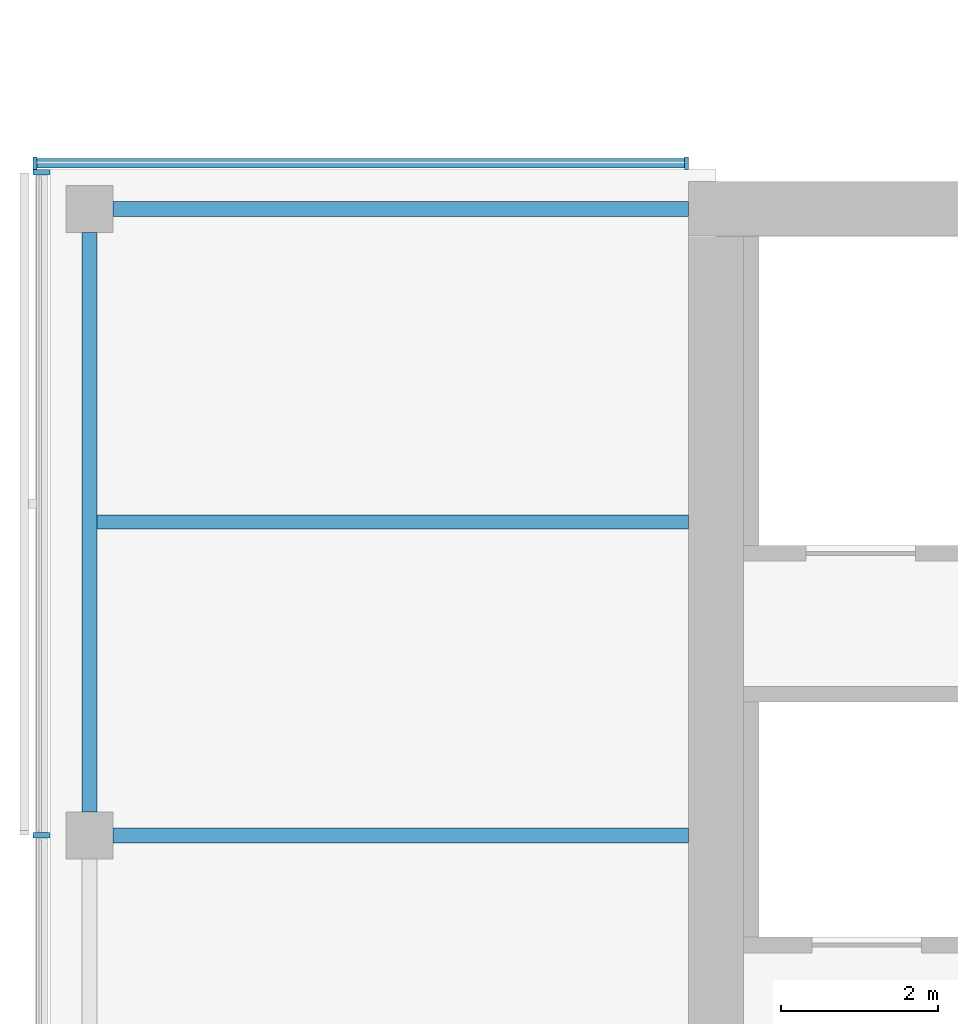
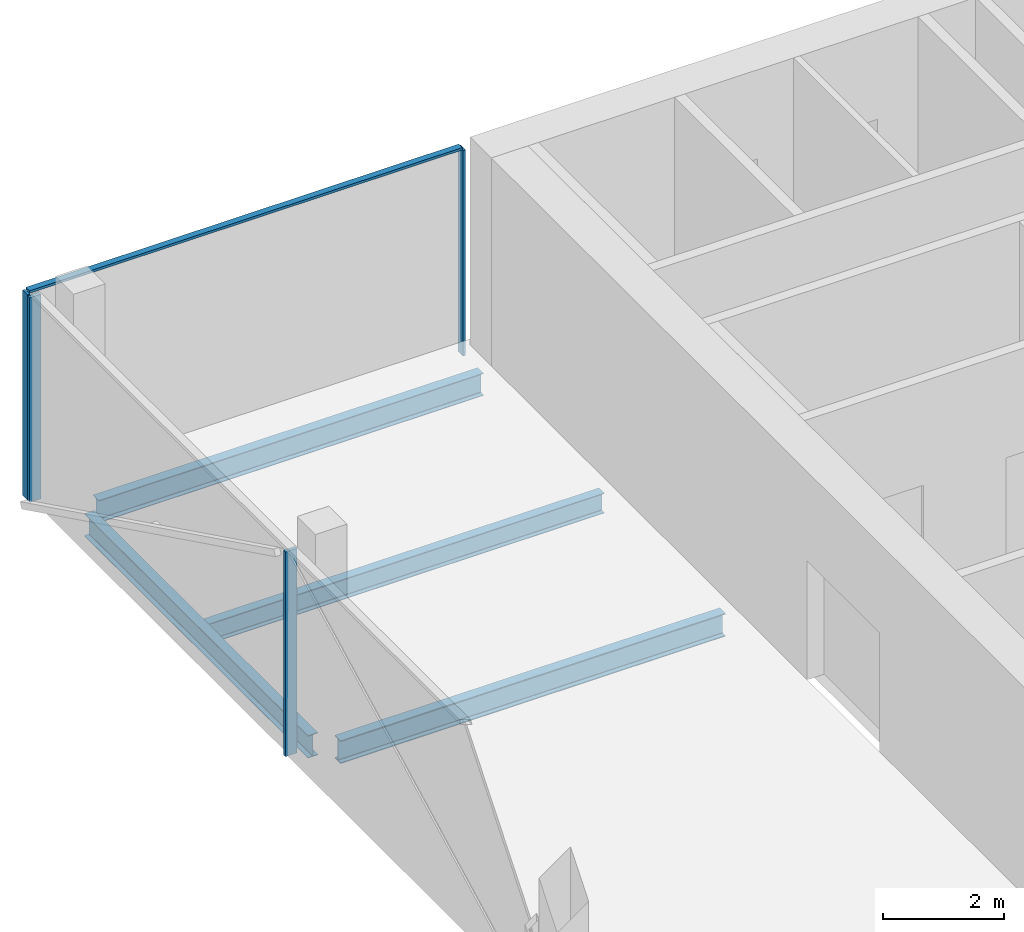
# One storey, part 7 of 22: 5 members, 4 beams, 2 elements without a shape of their own.
"""IFC4 building model written with IfcOpenShell, lengths in metres."""

from ifc_helpers import new_model, si_unit, direction, frame, origin, origin_2d, place, context, subcontext, project, spatial, rectangle, i_section, extrude, material, material_profile, profile_set, type_object, element, aggregate, save


model = new_model("IFC4")

# Units and contexts
model_context = context("Model", 3, precision=1e-05, world=origin(), true_north=direction((0.0, 1.0)))
body_context = subcontext(model_context, "Body", "Model", "MODEL_VIEW")
ifc_project = project(units=[si_unit("LENGTHUNIT", "METRE"), si_unit("AREAUNIT", "SQUARE_METRE"), si_unit("VOLUMEUNIT", "CUBIC_METRE"), si_unit("PLANEANGLEUNIT", "RADIAN"), si_unit("MASSUNIT", "GRAM", prefix="KILO")], contexts=[model_context])

# Site, building, storey
site_placement = place(None, origin())
site = spatial("IfcSite", under=ifc_project, at=site_placement, CompositionType="ELEMENT")
building_placement = place(site_placement, origin())
building = spatial("IfcBuilding", under=site, at=building_placement, Name="Crosswind Convention Tower", CompositionType="ELEMENT")
storey_placement = place(building_placement, frame((0.0, 0.0, 125.300048828125)))
storey = spatial("IfcBuildingStorey", under=building, at=storey_placement, Name="L25", CompositionType="ELEMENT", Elevation=125.300048828125)

# Beams
ifc_material_1 = material(Name="Steel S355", Category="steel")
ifc_material_profile_1 = material_profile(ifc_material_1, i_section(OverallWidth=0.18994140625, OverallDepth=0.45361328125, WebThickness=0.008544921875, FlangeThickness=0.0126953125, FilletRadius=0.01025390625, at=origin_2d()), Name="UB 457x191x67")
ifc_profile_set_1 = profile_set([ifc_material_profile_1], Name="Steel S355")
beam_type_1 = type_object("IfcBeamType", Name="Edge beam UB 457x191x67", PredefinedType="SPANDREL", material=ifc_profile_set_1)
beam_1_placement = place(storey_placement, frame((89.0, 104.300048828125, -0.52685546875), z_axis=(0.0, 1.0, 0.0), x_axis=(-1.0, 0.0, 0.0)))
element("IfcBeam", 1, at=beam_1_placement, inside=storey, type_object=beam_type_1, Name="B16 L25 edge beam 3", PredefinedType="SPANDREL", context=body_context, shape_type="SweptSolid", body=[
    extrude(i_section(OverallWidth=0.18994140625, OverallDepth=0.45361328125, WebThickness=0.008544921875, FlangeThickness=0.0126953125, FilletRadius=0.01025390625, at=origin_2d()), origin(), (0.0, 0.0, 1.0), 7.39990234375),
])
beam_2_placement = place(storey_placement, frame((89.300048828125, 112.0, -0.52685546875), z_axis=(1.0, 0.0, 0.0), x_axis=(0.0, 1.0, 0.0)))
element("IfcBeam", 2, at=beam_2_placement, inside=storey, type_object=beam_type_1, Name="B16 L25 edge beam 5", PredefinedType="SPANDREL", context=body_context, shape_type="SweptSolid", body=[
    extrude(i_section(OverallWidth=0.18994140625, OverallDepth=0.45361328125, WebThickness=0.008544921875, FlangeThickness=0.0126953125, FilletRadius=0.01025390625, at=origin_2d()), origin(), (0.0, 0.0, 1.0), 7.349853515625),
])
ifc_material_profile_2 = material_profile(ifc_material_1, i_section(OverallWidth=0.19189453125, OverallDepth=0.463623046875, WebThickness=0.010498046875, FlangeThickness=0.017578125, FilletRadius=0.01025390625, at=origin_2d()), Name="UB 457x191x90")
ifc_profile_set_2 = profile_set([ifc_material_profile_2], Name="Steel S355")
beam_type_2 = type_object("IfcBeamType", Name="Girder at core wall UB 457x191x90", PredefinedType="BEAM", material=ifc_profile_set_2)
beam_3_placement = place(storey_placement, frame((89.300048828125, 104.0, -0.53173828125), z_axis=(1.0, 0.0, 0.0), x_axis=(0.0, 1.0, 0.0)))
element("IfcBeam", 3, at=beam_3_placement, inside=storey, type_object=beam_type_2, Name="B24 L25 girder at core wall 2", PredefinedType="BEAM", context=body_context, shape_type="SweptSolid", body=[
    extrude(i_section(OverallWidth=0.19189453125, OverallDepth=0.463623046875, WebThickness=0.010498046875, FlangeThickness=0.017578125, FilletRadius=0.01025390625, at=origin_2d()), origin(), (0.0, 0.0, 1.0), 7.349853515625),
])

# Curtain wall, members
ifc_material_2 = material(Name="Aluminium unitised curtain wall", Category="aluminium")
curtain_wall_type_1 = type_object("IfcCurtainWallType", Name="CORE END SLOT WALL 160", PredefinedType="USERDEFINED", material=ifc_material_2)
curtain_wall_1_placement = place(storey_placement, origin())
curtain_wall_1 = element("IfcCurtainWall", 4, at=curtain_wall_1_placement, inside=storey, type_object=curtain_wall_type_1, Name="CW6 L25 W-N.2-1 slot", ObjectType="UNITISED", PredefinedType="USERDEFINED")
ifc_material_3 = material(Name="Aluminium mullion", Category="aluminium")
ifc_material_profile_3 = material_profile(ifc_material_3, rectangle(XDim=0.159912109375, YDim=0.050048828125, at=origin_2d()), Name="AL 160X50")
ifc_profile_set_3 = profile_set([ifc_material_profile_3], Name="Aluminium mullion")
member_type_1 = type_object("IfcMemberType", Name="MULLION 50X160", PredefinedType="MULLION", material=ifc_profile_set_3)
member_1_placement = place(storey_placement, frame((96.625, 112.580078125, -0.300048828125), z_axis=(0.0, 0.0, 1.0), x_axis=(0.0, 1.0, 0.0)))
member_1 = element("IfcMember", 5, at=member_1_placement, type_object=member_type_1, Name="CW6 mullion 1", PredefinedType="MULLION", context=body_context, shape_type="SweptSolid", body=[
    extrude(rectangle(XDim=0.159912109375, YDim=0.050048828125, at=origin_2d()), origin(), (0.0, 0.0, 1.0), 4.14990234375),
])
member_2_placement = place(storey_placement, frame((88.304931640625, 112.580078125, -0.300048828125), z_axis=(0.0, 0.0, 1.0), x_axis=(0.0, 1.0, 0.0)))
member_2 = element("IfcMember", 6, at=member_2_placement, type_object=member_type_1, Name="CW6 mullion 2", PredefinedType="MULLION", context=body_context, shape_type="SweptSolid", body=[
    extrude(rectangle(XDim=0.159912109375, YDim=0.050048828125, at=origin_2d()), origin(), (0.0, 0.0, 1.0), 4.14990234375),
])

curtain_wall_type_2 = type_object("IfcCurtainWallType", Name="OFFICE UNITISED WALL 220", PredefinedType="USERDEFINED", material=ifc_material_2)
curtain_wall_2_placement = place(storey_placement, origin())
curtain_wall_2 = element("IfcCurtainWall", 7, at=curtain_wall_2_placement, inside=storey, type_object=curtain_wall_type_2, Name="CW3 L25 W-TIP 1", ObjectType="UNITISED", PredefinedType="USERDEFINED")
ifc_material_profile_4 = material_profile(ifc_material_3, rectangle(XDim=0.219970703125, YDim=0.070068359375, at=origin_2d()), Name="AL 220X70")
ifc_profile_set_4 = profile_set([ifc_material_profile_4], Name="Aluminium mullion")
member_type_2 = type_object("IfcMemberType", Name="MULLION 70X220", PredefinedType="MULLION", material=ifc_profile_set_4)
member_3_placement = place(storey_placement, frame((88.389892578125, 112.465087890625, -0.300048828125), z_axis=(0.0, 0.0, 1.0), x_axis=(-1.0, 0.0, 0.0)))
member_3 = element("IfcMember", 8, at=member_3_placement, type_object=member_type_2, Name="CW3 mullion 1", PredefinedType="MULLION", context=body_context, shape_type="SweptSolid", body=[
    extrude(rectangle(XDim=0.219970703125, YDim=0.070068359375, at=origin_2d()), origin(), (0.0, 0.0, 1.0), 4.1298828125),
])
member_4_placement = place(storey_placement, frame((88.389892578125, 104.0, -0.300048828125), z_axis=(0.0, 0.0, 1.0), x_axis=(-1.0, 0.0, 0.0)))
member_4 = element("IfcMember", 9, at=member_4_placement, type_object=member_type_2, Name="CW3 mullion 2", PredefinedType="MULLION", context=body_context, shape_type="SweptSolid", body=[
    extrude(rectangle(XDim=0.219970703125, YDim=0.070068359375, at=origin_2d()), origin(), (0.0, 0.0, 1.0), 4.1298828125),
])
aggregate(curtain_wall_2, [member_3, member_4])

# Beam
ifc_material_profile_5 = material_profile(ifc_material_1, i_section(OverallWidth=0.177734375, OverallDepth=0.406494140625, WebThickness=0.0078125, FlangeThickness=0.0126953125, FilletRadius=0.01025390625, at=origin_2d()), Name="UB 406x178x60")
ifc_profile_set_5 = profile_set([ifc_material_profile_5], Name="Steel S355")
beam_type_3 = type_object("IfcBeamType", Name="Secondary beam UB 406x178x60", PredefinedType="JOIST", material=ifc_profile_set_5)
beam_4_placement = place(storey_placement, frame((89.094970703125, 108.0, -0.503173828125), z_axis=(1.0, 0.0, 0.0), x_axis=(0.0, 1.0, 0.0)))
element("IfcBeam", 10, at=beam_4_placement, inside=storey, type_object=beam_type_3, Name="B10 L25 secondary beam 3", PredefinedType="JOIST", context=body_context, shape_type="SweptSolid", body=[
    extrude(i_section(OverallWidth=0.177734375, OverallDepth=0.406494140625, WebThickness=0.0078125, FlangeThickness=0.0126953125, FilletRadius=0.01025390625, at=origin_2d()), origin(), (0.0, 0.0, 1.0), 7.554931640625),
])

# Member
ifc_material_4 = material(Name="Aluminium transom", Category="aluminium")
ifc_material_profile_6 = material_profile(ifc_material_4, rectangle(XDim=0.1201171875, YDim=0.050048828125, at=origin_2d()), Name="AL 120X50")
ifc_profile_set_6 = profile_set([ifc_material_profile_6], Name="Aluminium transom")
member_type_3 = type_object("IfcMemberType", Name="TRANSOM 50X120", PredefinedType="USERDEFINED", material=ifc_profile_set_6)
member_5_placement = place(storey_placement, frame((96.60009765625, 112.580078125, 3.875), z_axis=(-1.0, 0.0, 0.0), x_axis=(0.0, -1.0, 0.0)))
member_5 = element("IfcMember", 11, at=member_5_placement, type_object=member_type_3, Name="CW6 transom", ObjectType="TRANSOM", PredefinedType="USERDEFINED", context=body_context, shape_type="SweptSolid", body=[
    extrude(rectangle(XDim=0.1201171875, YDim=0.050048828125, at=origin_2d()), origin(), (0.0, 0.0, 1.0), 8.27001953125),
])

aggregate(curtain_wall_1, [member_1, member_2, member_5])

save(model, "model.ifc")
